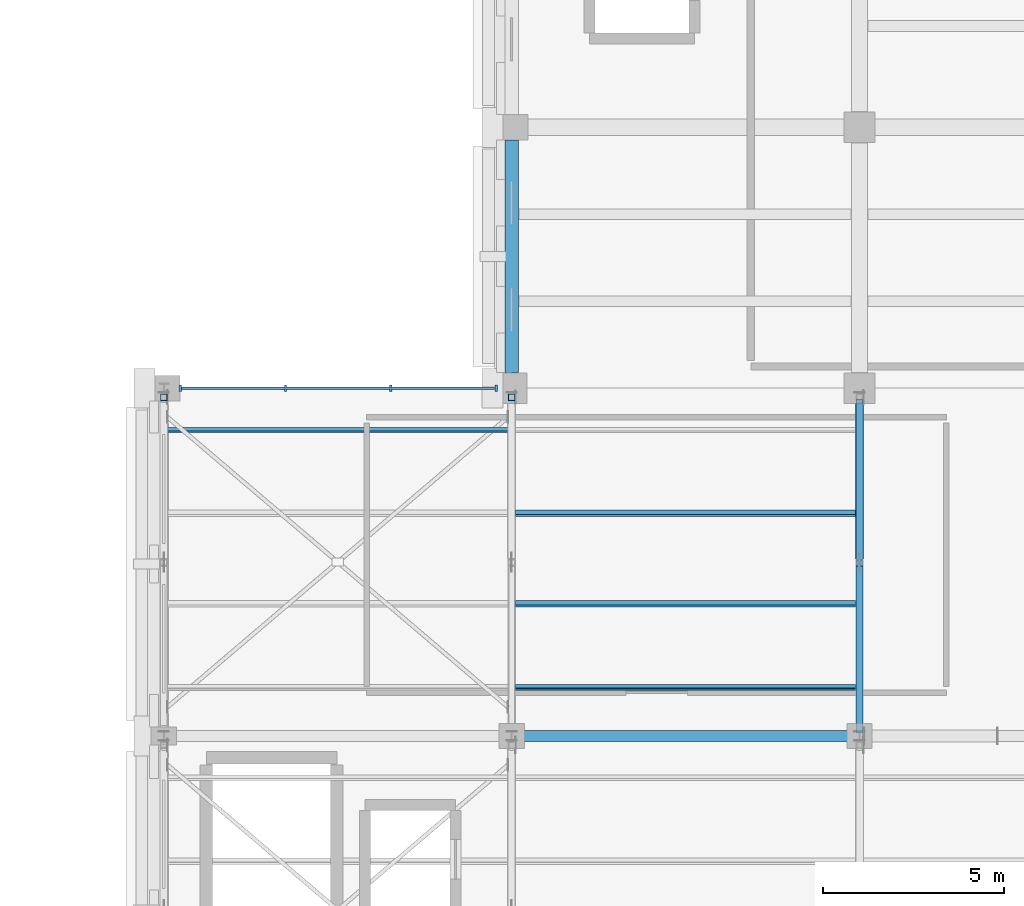
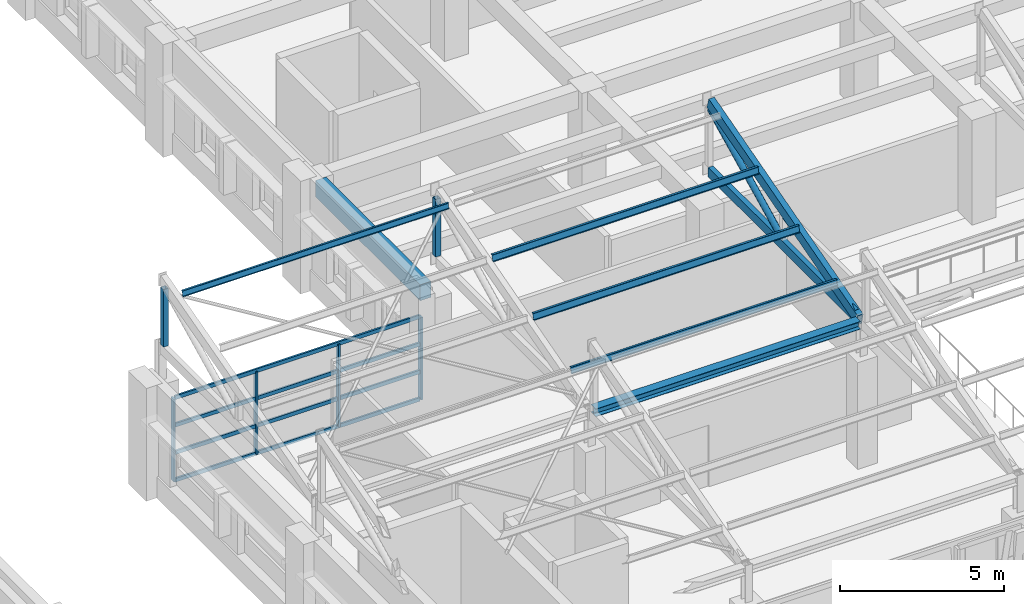
# One storey, part 19 of 58: 18 members, 2 beams, 1 element without a shape of its own.
"""IFC4 building model written with IfcOpenShell, lengths in metres."""

from ifc_helpers import new_model, si_unit, direction, frame, origin, origin_2d, place, context, subcontext, project, spatial, rectangle, hollow_rectangle, hollow_circle, i_section, extrude, material, layer, layer_set, material_profile, profile_set, type_object, element, aggregate, save


model = new_model("IFC4")

# Units and contexts
model_context = context("Model", 3, precision=1e-05, world=origin(), true_north=direction((0.0, 1.0)))
body_context = subcontext(model_context, "Body", "Model", "MODEL_VIEW")
ifc_project = project(units=[si_unit("LENGTHUNIT", "METRE"), si_unit("AREAUNIT", "SQUARE_METRE"), si_unit("VOLUMEUNIT", "CUBIC_METRE"), si_unit("PLANEANGLEUNIT", "RADIAN"), si_unit("MASSUNIT", "GRAM", prefix="KILO")], contexts=[model_context])

# Site, building, storey
site_placement = place(None, origin())
site = spatial("IfcSite", under=ifc_project, at=site_placement, CompositionType="ELEMENT")
building_placement = place(site_placement, origin())
building = spatial("IfcBuilding", under=site, at=building_placement, Name="Bempovik Park Faculty of Sciences", CompositionType="ELEMENT")
storey_placement = place(building_placement, frame((0.0, 0.0, 18.300048828125)))
storey = spatial("IfcBuildingStorey", under=building, at=storey_placement, Name="L04", CompositionType="ELEMENT", Elevation=18.300048828125)

# Beams
ifc_material_1 = material(Name="Concrete C35/45", Category="concrete")
ifc_material_profile_1 = material_profile(ifc_material_1, rectangle(XDim=0.3798828125, YDim=0.60009765625, at=origin_2d()), Name="RC 380x600")
ifc_profile_set_1 = profile_set([ifc_material_profile_1], Name="Concrete C35/45")
beam_type_1 = type_object("IfcBeamType", Name="B-032 RC 380x600", PredefinedType="SPANDREL", material=ifc_profile_set_1)
beam_1_placement = place(storey_placement, frame((60.0, 87.430908203125, 3.599853515625), z_axis=(0.0, 1.0, 0.0), x_axis=(-1.0, 0.0, 0.0)))
element("IfcBeam", 1, at=beam_1_placement, inside=storey, type_object=beam_type_1, Name="L04 Beam Y (x=60.0, 87.0-94.2)", PredefinedType="SPANDREL", context=body_context, shape_type="SweptSolid", body=[
    extrude(rectangle(XDim=0.3798828125, YDim=0.60009765625, at=origin_2d()), origin(), (0.0, 0.0, 1.0), 6.4130859375),
])
ifc_material_2 = material(Name="Steel S355", Category="steel")
ifc_material_profile_2 = material_profile(ifc_material_2, i_section(OverallWidth=0.300048828125, OverallDepth=0.2900390625, WebThickness=0.008544921875, FlangeThickness=0.013916015625, at=origin_2d()), Name="HEA 300")
ifc_profile_set_2 = profile_set([ifc_material_profile_2], Name="Steel S355")
beam_type_2 = type_object("IfcBeamType", Name="B-131 HEA 300", PredefinedType="BEAM", material=ifc_profile_set_2)
beam_2_placement = place(storey_placement, frame((60.1298828125, 77.39990234375, 5.179931640625), z_axis=(1.0, 0.0, 0.0), x_axis=(0.0, 1.0, 0.0)))
element("IfcBeam", 2, at=beam_2_placement, inside=storey, type_object=beam_type_2, Name="Sawtooth Valley Tie Beam V2-B2 (60.0-69.6)", PredefinedType="BEAM", context=body_context, shape_type="SweptSolid", body=[
    extrude(i_section(OverallWidth=0.300048828125, OverallDepth=0.2900390625, WebThickness=0.008544921875, FlangeThickness=0.013916015625, at=origin_2d()), origin(), (0.0, 0.0, 1.0), 9.340087890625),
])

# Members
ifc_material_profile_3 = material_profile(ifc_material_2, hollow_rectangle(XDim=0.175048828125, YDim=0.35009765625, WallThickness=0.012451171875, at=origin_2d()), Name="RHS 350x175x12.5")
ifc_profile_set_3 = profile_set([ifc_material_profile_3], Name="Steel S355")
member_type_1 = type_object("IfcMemberType", Name="M-15 RHS 350x175x12.5", PredefinedType="CHORD", material=ifc_profile_set_3)
member_1_placement = place(storey_placement, frame((69.60009765625, 77.535888671875, 5.179931640625), z_axis=(0.0, 1.0, 0.0), x_axis=(-1.0, 0.0, 0.0)))
element("IfcMember", 3, at=member_1_placement, inside=storey, type_object=member_type_1, Name="Sawtooth Bottom Chord V2-B2 (69.6)", PredefinedType="CHORD", context=body_context, shape_type="SweptSolid", body=[
    extrude(hollow_rectangle(XDim=0.175048828125, YDim=0.35009765625, WallThickness=0.012451171875, at=origin_2d()), origin(), (0.0, 0.0, 1.0), 9.108154296875),
])
ifc_material_profile_4 = material_profile(ifc_material_2, i_section(OverallWidth=0.110107421875, OverallDepth=0.219970703125, WebThickness=0.005859375, FlangeThickness=0.00927734375, at=origin_2d()), Name="IPE 220")
ifc_profile_set_4 = profile_set([ifc_material_profile_4], Name="Steel S355")
member_type_2 = type_object("IfcMemberType", Name="M-18 IPE 220", PredefinedType="PURLIN", material=ifc_profile_set_4)
member_2_placement = place(storey_placement, frame((60.10595703125, 78.743896484375, 5.87744140625), z_axis=(1.0, 0.0, 0.0), x_axis=(0.0, 0.965925826289, -0.258819045103)))
element("IfcMember", 4, at=member_2_placement, inside=storey, type_object=member_type_2, Name="Sawtooth Roof Purlin V2-B2 (60.0-69.6) #1", PredefinedType="PURLIN", context=body_context, shape_type="SweptSolid", body=[
    extrude(i_section(OverallWidth=0.110107421875, OverallDepth=0.219970703125, WebThickness=0.005859375, FlangeThickness=0.00927734375, at=origin_2d()), origin(), (0.0, 0.0, 1.0), 9.387939453125),
])
ifc_material_profile_5 = material_profile(ifc_material_2, hollow_circle(Radius=0.109619140625, WallThickness=0.010009765625, at=origin_2d()), Name="CHS 219.1x10")
ifc_profile_set_5 = profile_set([ifc_material_profile_5], Name="Steel S355")
member_type_3 = type_object("IfcMemberType", Name="M-22 CHS 219.1x10", PredefinedType="BRACE", material=ifc_profile_set_5)
member_3_placement = place(storey_placement, frame((69.60009765625, 82.304931640625, 5.36083984375), z_axis=(0.0, 0.896782958268, 0.442470706105), x_axis=(-1.0, 0.0, 0.0)))
element("IfcMember", 5, at=member_3_placement, inside=storey, type_object=member_type_3, Name="Sawtooth Web Diagonal 2 V2-B2 (69.6)", PredefinedType="BRACE", context=body_context, shape_type="SweptSolid", body=[
    extrude(hollow_circle(Radius=0.109619140625, WallThickness=0.010009765625, at=origin_2d()), origin(), (0.0, 0.0, 1.0), 4.844970703125),
])
ifc_material_profile_6 = material_profile(ifc_material_2, hollow_rectangle(XDim=0.179931640625, YDim=0.179931640625, WallThickness=0.008056640625, at=origin_2d()), Name="SHS 180x180x8")
ifc_profile_set_6 = profile_set([ifc_material_profile_6], Name="Steel S355")
member_type_4 = type_object("IfcMemberType", Name="M-40 SHS 180x180x8", PredefinedType="POST", material=ifc_profile_set_6)
for number, where, z_axis, x_axis, name in (
    (6, (50.39990234375, 86.75, 5.36083984375), (0.0, 0.0, 1.0), (1.0, 0.0, 0.0), "Sawtooth North-Light Post V2-B2 (50.4)"),
    (7, (60.0, 86.75, 5.36083984375), (0.0, 0.0, 1.0), (1.0, 0.0, 0.0), "Sawtooth North-Light Post V2-B2 (60.0)"),
):
    element("IfcMember", number, at=place(storey_placement, frame(where, z_axis=z_axis, x_axis=x_axis)), inside=storey, type_object=member_type_4, Name=name, PredefinedType="POST", context=body_context, shape_type="SweptSolid", body=[
        extrude(hollow_rectangle(XDim=0.179931640625, YDim=0.179931640625, WallThickness=0.008056640625, at=origin_2d()), origin(), (0.0, 0.0, 1.0), 2.143798828125),
    ])
ifc_material_profile_7 = material_profile(ifc_material_2, i_section(OverallWidth=0.10009765625, OverallDepth=0.199951171875, WebThickness=0.005615234375, FlangeThickness=0.008544921875, at=origin_2d()), Name="IPE 200")
ifc_profile_set_7 = profile_set([ifc_material_profile_7], Name="Steel S355")
member_type_5 = type_object("IfcMemberType", Name="M-48 IPE 200", PredefinedType="PURLIN", material=ifc_profile_set_7)
member_4_placement = place(storey_placement, frame((50.506103515625, 85.847900390625, 7.790771484375), z_axis=(1.0, 0.0, 0.0), x_axis=(0.0, 0.965925826289, -0.258819045103)))
element("IfcMember", 8, at=member_4_placement, inside=storey, type_object=member_type_5, Name="Sawtooth Roof Purlin V2-B2 (50.4-60.0) #4", PredefinedType="PURLIN", context=body_context, shape_type="SweptSolid", body=[
    extrude(i_section(OverallWidth=0.10009765625, OverallDepth=0.199951171875, WebThickness=0.005615234375, FlangeThickness=0.008544921875, at=origin_2d()), origin(), (0.0, 0.0, 1.0), 9.387939453125),
])
ifc_material_profile_8 = material_profile(ifc_material_2, hollow_rectangle(XDim=0.199951171875, YDim=0.39990234375, WallThickness=0.01611328125, at=origin_2d()), Name="RHS 400x200x16")
ifc_profile_set_8 = profile_set([ifc_material_profile_8], Name="Steel S355")
member_type_6 = type_object("IfcMemberType", Name="M-53 RHS 400x200x16", PredefinedType="CHORD", material=ifc_profile_set_8)
member_5_placement = place(storey_placement, frame((69.60009765625, 77.535888671875, 5.182373046875), z_axis=(0.0, 0.962358551533, 0.271783035327), x_axis=(-1.0, 0.0, 0.0)))
element("IfcMember", 9, at=member_5_placement, inside=storey, type_object=member_type_6, Name="Sawtooth Top Rafter Chord V2-B2 (69.6)", PredefinedType="CHORD", context=body_context, shape_type="SweptSolid", body=[
    extrude(hollow_rectangle(XDim=0.199951171875, YDim=0.39990234375, WallThickness=0.01611328125, at=origin_2d()), origin(), (0.0, 0.0, 1.0), 9.46435546875),
])
ifc_material_profile_9 = material_profile(ifc_material_2, hollow_circle(Radius=0.096923828125, WallThickness=0.008056640625, at=origin_2d()), Name="CHS 193.7x8")
ifc_profile_set_9 = profile_set([ifc_material_profile_9], Name="Steel S355")
member_type_7 = type_object("IfcMemberType", Name="M-74 CHS 193.7x8", PredefinedType="BRACE", material=ifc_profile_set_9)
member_6_placement = place(storey_placement, frame((69.60009765625, 77.7099609375, 5.36083984375), z_axis=(0.0, 0.980118341504, 0.198413801554), x_axis=(-1.0, 0.0, 0.0)))
element("IfcMember", 10, at=member_6_placement, inside=storey, type_object=member_type_7, Name="Sawtooth Web Diagonal 1 V2-B2 (69.6)", PredefinedType="BRACE", context=body_context, shape_type="SweptSolid", body=[
    extrude(hollow_circle(Radius=0.096923828125, WallThickness=0.008056640625, at=origin_2d()), origin(), (0.0, 0.0, 1.0), 4.473876953125),
])
ifc_material_profile_10 = material_profile(ifc_material_2, i_section(OverallWidth=0.1201171875, OverallDepth=0.239990234375, WebThickness=0.006103515625, FlangeThickness=0.009765625, at=origin_2d()), Name="IPE 240")
ifc_profile_set_10 = profile_set([ifc_material_profile_10], Name="Steel S355")
member_type_8 = type_object("IfcMemberType", Name="M-86 IPE 240", PredefinedType="PURLIN", material=ifc_profile_set_10)
for number, where, z_axis, x_axis, name in (
    (11, (60.10595703125, 81.048095703125, 6.48486328125), (1.0, 0.0, 0.0), (0.0, 0.965925826289, -0.258819045103), "Sawtooth Roof Purlin V2-B2 (60.0-69.6) #2"),
    (12, (60.10595703125, 83.5439453125, 7.153564453125), (1.0, 0.0, 0.0), (0.0, 0.965925826289, -0.258819045103), "Sawtooth Roof Purlin V2-B2 (60.0-69.6) #3"),
):
    element("IfcMember", number, at=place(storey_placement, frame(where, z_axis=z_axis, x_axis=x_axis)), inside=storey, type_object=member_type_8, Name=name, PredefinedType="PURLIN", context=body_context, shape_type="SweptSolid", body=[
        extrude(i_section(OverallWidth=0.1201171875, OverallDepth=0.239990234375, WebThickness=0.006103515625, FlangeThickness=0.009765625, at=origin_2d()), origin(), (0.0, 0.0, 1.0), 9.387939453125),
    ])

# Curtain wall, members
ifc_material_3 = material(Name="Tempered laminated low-E glass", Category="glass")
ifc_layer = layer(ifc_material_3, 0.159912109375)
ifc_layer_set = layer_set([ifc_layer], Name="Tempered laminated low-E glass")
curtain_wall_type = type_object("IfcCurtainWallType", Name="CW-41 Curtain 6600x3800", PredefinedType="USERDEFINED", material=ifc_layer_set)
curtain_wall_placement = place(storey_placement, origin())
curtain_wall = element("IfcCurtainWall", 13, at=curtain_wall_placement, inside=storey, type_object=curtain_wall_type, Name="L04 Unitised Curtain Wall (87.0,50.4)", ObjectType="UNITISED CURTAIN WALL", PredefinedType="USERDEFINED")
ifc_material_4 = material(Name="Anodised architectural bronze", Category="aluminium")
ifc_material_profile_11 = material_profile(ifc_material_4, rectangle(XDim=0.06494140625, YDim=0.169921875, at=origin_2d()), Name="ALU-M 65x170")
ifc_profile_set_11 = profile_set([ifc_material_profile_11], Name="Anodised architectural bronze")
member_type_9 = type_object("IfcMemberType", Name="ML-15 ALU-M 65x170", PredefinedType="MULLION", material=ifc_profile_set_11)
member_7_placement = place(storey_placement, frame((50.85205078125, 87.0, 0.0), z_axis=(0.0, 0.0, 1.0), x_axis=(1.0, 0.0, 0.0)))
member_7 = element("IfcMember", 14, at=member_7_placement, type_object=member_type_9, Name="CW-BAY-L04-870-504 Mullion 0", PredefinedType="MULLION", context=body_context, shape_type="SweptSolid", body=[
    extrude(rectangle(XDim=0.06494140625, YDim=0.169921875, at=origin_2d()), origin(), (0.0, 0.0, 1.0), 3.079833984375),
])
member_8_placement = place(storey_placement, frame((53.759033203125, 87.0, 0.0), z_axis=(0.0, 0.0, 1.0), x_axis=(1.0, 0.0, 0.0)))
member_8 = element("IfcMember", 15, at=member_8_placement, type_object=member_type_9, Name="CW-BAY-L04-870-504 Mullion 1", PredefinedType="MULLION", context=body_context, shape_type="SweptSolid", body=[
    extrude(rectangle(XDim=0.06494140625, YDim=0.169921875, at=origin_2d()), origin(), (0.0, 0.0, 1.0), 3.079833984375),
])
member_9_placement = place(storey_placement, frame((56.666015625, 87.0, 0.0), z_axis=(0.0, 0.0, 1.0), x_axis=(1.0, 0.0, 0.0)))
member_9 = element("IfcMember", 16, at=member_9_placement, type_object=member_type_9, Name="CW-BAY-L04-870-504 Mullion 2", PredefinedType="MULLION", context=body_context, shape_type="SweptSolid", body=[
    extrude(rectangle(XDim=0.06494140625, YDim=0.169921875, at=origin_2d()), origin(), (0.0, 0.0, 1.0), 3.079833984375),
])
member_10_placement = place(storey_placement, frame((59.572998046875, 87.0, 0.0), z_axis=(0.0, 0.0, 1.0), x_axis=(1.0, 0.0, 0.0)))
member_10 = element("IfcMember", 17, at=member_10_placement, type_object=member_type_9, Name="CW-BAY-L04-870-504 Mullion 3", PredefinedType="MULLION", context=body_context, shape_type="SweptSolid", body=[
    extrude(rectangle(XDim=0.06494140625, YDim=0.169921875, at=origin_2d()), origin(), (0.0, 0.0, 1.0), 3.079833984375),
])
ifc_material_profile_12 = material_profile(ifc_material_4, rectangle(XDim=0.06494140625, YDim=0.139892578125, at=origin_2d()), Name="ALU-T 65x140")
ifc_profile_set_12 = profile_set([ifc_material_profile_12], Name="Anodised architectural bronze")
member_type_10 = type_object("IfcMemberType", Name="TR-17 ALU-T 65x140", PredefinedType="USERDEFINED", material=ifc_profile_set_12)
member_11_placement = place(storey_placement, frame((50.89208984375, 87.0, 0.0), z_axis=(1.0, 0.0, 0.0), x_axis=(0.0, 1.0, 0.0)))
member_11 = element("IfcMember", 18, at=member_11_placement, type_object=member_type_10, Name="CW-BAY-L04-870-504 Transom 0", ObjectType="TRANSOM", PredefinedType="USERDEFINED", context=body_context, shape_type="SweptSolid", body=[
    extrude(rectangle(XDim=0.06494140625, YDim=0.139892578125, at=origin_2d()), origin(), (0.0, 0.0, 1.0), 8.640869140625),
])
member_12_placement = place(storey_placement, frame((50.89208984375, 87.0, 1.026611328125), z_axis=(1.0, 0.0, 0.0), x_axis=(0.0, 1.0, 0.0)))
member_12 = element("IfcMember", 19, at=member_12_placement, type_object=member_type_10, Name="CW-BAY-L04-870-504 Transom 1", ObjectType="TRANSOM", PredefinedType="USERDEFINED", context=body_context, shape_type="SweptSolid", body=[
    extrude(rectangle(XDim=0.06494140625, YDim=0.139892578125, at=origin_2d()), origin(), (0.0, 0.0, 1.0), 8.640869140625),
])
member_13_placement = place(storey_placement, frame((50.89208984375, 87.0, 2.05322265625), z_axis=(1.0, 0.0, 0.0), x_axis=(0.0, 1.0, 0.0)))
member_13 = element("IfcMember", 20, at=member_13_placement, type_object=member_type_10, Name="CW-BAY-L04-870-504 Transom 2", ObjectType="TRANSOM", PredefinedType="USERDEFINED", context=body_context, shape_type="SweptSolid", body=[
    extrude(rectangle(XDim=0.06494140625, YDim=0.139892578125, at=origin_2d()), origin(), (0.0, 0.0, 1.0), 8.640869140625),
])
member_14_placement = place(storey_placement, frame((50.89208984375, 87.0, 3.079833984375), z_axis=(1.0, 0.0, 0.0), x_axis=(0.0, 1.0, 0.0)))
member_14 = element("IfcMember", 21, at=member_14_placement, type_object=member_type_10, Name="CW-BAY-L04-870-504 Transom 3", ObjectType="TRANSOM", PredefinedType="USERDEFINED", context=body_context, shape_type="SweptSolid", body=[
    extrude(rectangle(XDim=0.06494140625, YDim=0.139892578125, at=origin_2d()), origin(), (0.0, 0.0, 1.0), 8.640869140625),
])
aggregate(curtain_wall, [member_7, member_8, member_9, member_10, member_11, member_12, member_13, member_14])

save(model, "model.ifc")
